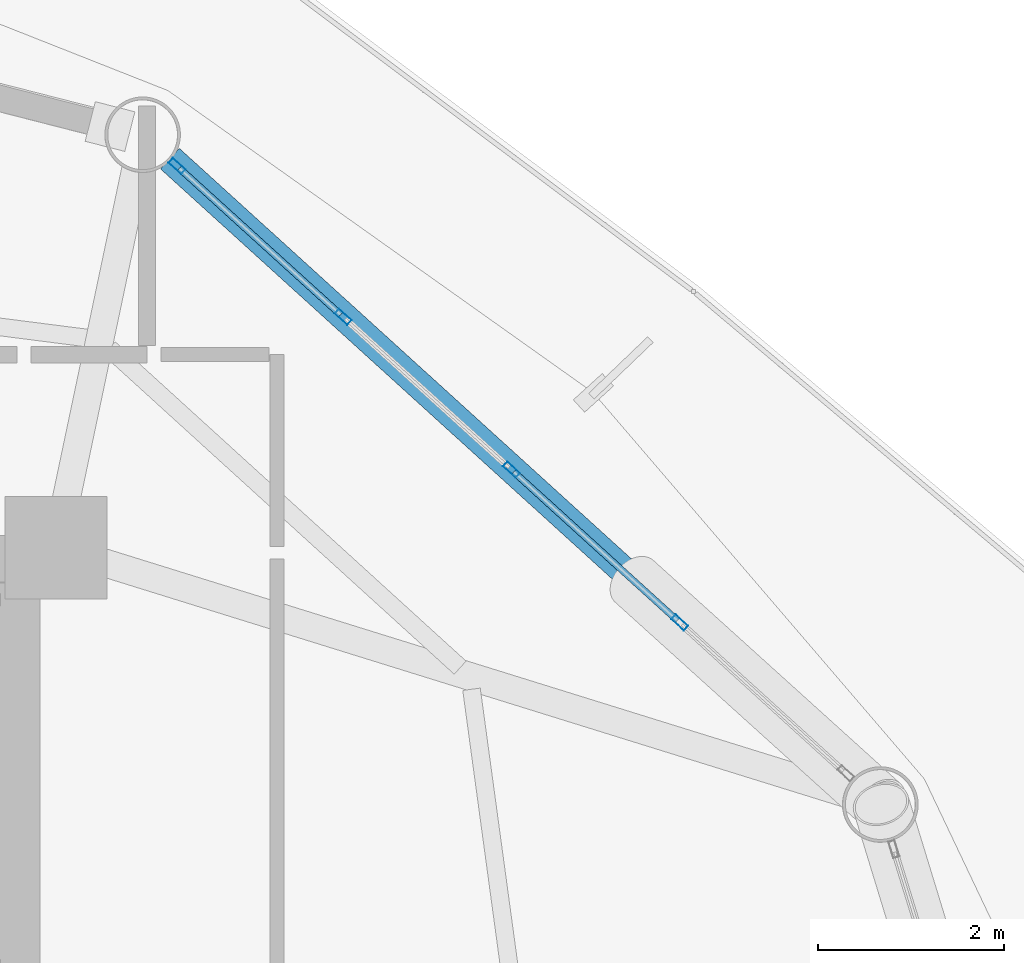
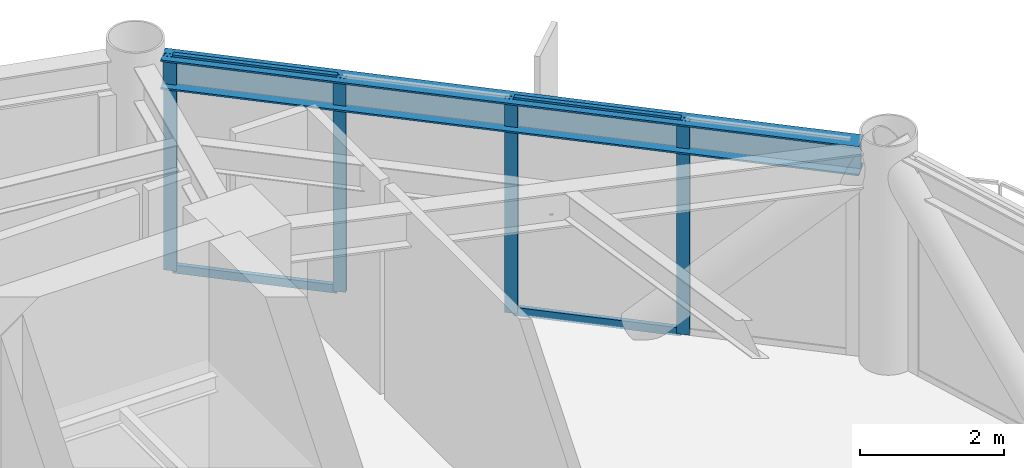
# One storey, part 17 of 23: 8 members, 1 beam, 1 element without a shape of its own.
"""IFC4 building model written with IfcOpenShell, lengths in metres."""

import ifcopenshell
import ifcopenshell.guid

model = None  # the IFC model being written
_history = None  # IfcOwnerHistory: only IFC2X3 demands one
_inside = {}  # id of a spatial element -> (the spatial element, [elements in it])
_under = {}  # id of a project, library or spatial element -> (it, [spatial elements below it])
_declared = {}  # id of a project -> (the project, [libraries it declares])
_typed = {}  # id of a type object -> (the type object, [elements of that type])
_made_of = {}  # id of a material, layer set ... -> (it, [elements and type objects made of it])


def new_model(schema):
    """Start an empty IFC model of exactly this schema.

    Asked for "IFC4X3", IfcOpenShell would pick the latest addendum, in which some entities
    have other attributes; the version numbers below select the first issue.
    IFC2X3 requires an IfcOwnerHistory on every rooted entity: one is made here for all.
    """
    global model, _history
    if schema == "IFC4X3":
        model = ifcopenshell.file(schema_version=(4, 3, 0, 0))
    else:
        model = ifcopenshell.file(schema=schema)
    _inside.clear()
    _under.clear()
    _declared.clear()
    _typed.clear()
    _made_of.clear()
    _history = None
    if model.schema == "IFC2X3":
        org = make("IfcOrganization", Name="unknown")
        user = make(
            "IfcPersonAndOrganization",
            ThePerson=make("IfcPerson", FamilyName="unknown"),
            TheOrganization=org,
        )
        app = make(
            "IfcApplication",
            ApplicationDeveloper=org,
            Version="unknown",
            ApplicationFullName="unknown",
            ApplicationIdentifier="unknown",
        )
        _history = make(
            "IfcOwnerHistory",
            OwningUser=user,
            OwningApplication=app,
            ChangeAction="ADDED",
            CreationDate=0,
        )
    return model


def make(cls, **values):
    """One entity of the class cls with the attributes given. An attribute that is None is left unset."""
    return model.create_entity(
        cls, **{name: value for name, value in values.items() if value is not None}
    )


def rooted(cls, **values):
    """An entity with a GlobalId (a new one), such as an element, a storey or a relation."""
    return make(cls, GlobalId=ifcopenshell.guid.new(), OwnerHistory=_history, **values)


def si_unit(unit_type, name, prefix=None):
    """IfcSIUnit, for example si_unit("LENGTHUNIT", "METRE", prefix="MILLI")."""
    return make("IfcSIUnit", UnitType=unit_type, Prefix=prefix, Name=name)


def assignment(units):
    """IfcUnitAssignment: the units of a project."""
    return None if units is None else make("IfcUnitAssignment", Units=units)


def point(xyz):
    """IfcCartesianPoint."""
    return None if xyz is None else make("IfcCartesianPoint", Coordinates=xyz)


def direction(xyz):
    """IfcDirection."""
    return None if xyz is None else make("IfcDirection", DirectionRatios=xyz)


def frame(location, z_axis=None, x_axis=None):
    """IfcAxis2Placement3D, a coordinate frame: its origin and axes. An axis left out is left unset."""
    return make(
        "IfcAxis2Placement3D",
        Location=point(location),
        Axis=direction(z_axis),
        RefDirection=direction(x_axis),
    )


def frame_2d(location, x_axis=None):
    """IfcAxis2Placement2D, a coordinate frame in the plane: its origin and x axis."""
    return make(
        "IfcAxis2Placement2D", Location=point(location), RefDirection=direction(x_axis)
    )


def origin():
    """The frame at (0, 0, 0) with its axes left unset."""
    return frame((0.0, 0.0, 0.0))


def origin_2d():
    """The frame at (0, 0) in the plane with its x axis left unset."""
    return frame_2d((0.0, 0.0))


def place(relative_to, where):
    """IfcLocalPlacement: puts the frame where relative to a parent placement (None: the world)."""
    return make(
        "IfcLocalPlacement", PlacementRelTo=relative_to, RelativePlacement=where
    )


def context(
    kind, dimensions, precision=None, world=None, true_north=None, identifier=None
):
    """IfcGeometricRepresentationContext, for example the 3D "Model" context."""
    return make(
        "IfcGeometricRepresentationContext",
        ContextIdentifier=identifier,
        ContextType=kind,
        CoordinateSpaceDimension=dimensions,
        Precision=precision,
        WorldCoordinateSystem=world,
        TrueNorth=true_north,
    )


def subcontext(parent, identifier, kind, view, scale=None):
    """IfcGeometricRepresentationSubContext, for example "Body" below "Model"."""
    return make(
        "IfcGeometricRepresentationSubContext",
        ContextIdentifier=identifier,
        ContextType=kind,
        ParentContext=parent,
        TargetScale=scale,
        TargetView=view,
    )


def project(units=None, contexts=None):
    """IfcProject with its units and contexts."""
    return rooted(
        "IfcProject",
        Name="project",
        RepresentationContexts=contexts,
        UnitsInContext=assignment(units),
    )


def spatial(cls, under=None, at=None, **own):
    """A site, building, storey or space (cls), placed at a placement, below another one or the project."""
    s = rooted(cls, ObjectPlacement=at, **own)
    if under is not None:
        _under.setdefault(under.id(), (under, []))[1].append(s)
    return s


def profile(cls, at=None, kind="AREA", **sizes):
    """A parametric profile (cls). Its sizes go by their IFC names, for example OverallWidth=200.0."""
    return make(cls, ProfileType=kind, Position=at, **sizes)


def hollow_rectangle(**sizes):
    """IfcRectangleHollowProfileDef."""
    return profile("IfcRectangleHollowProfileDef", **sizes)


def i_section(**sizes):
    """IfcIShapeProfileDef."""
    return profile("IfcIShapeProfileDef", **sizes)


def extrude(swept, where, along, depth):
    """IfcExtrudedAreaSolid: the profile swept, set in the frame where, extruded along a direction by depth."""
    return make(
        "IfcExtrudedAreaSolid",
        SweptArea=swept,
        Position=where,
        ExtrudedDirection=direction(along),
        Depth=depth,
    )


def shape(context_of_items, identifier, shape_type, items):
    """IfcShapeRepresentation: the items that make up one representation, for example the "Body"."""
    return make(
        "IfcShapeRepresentation",
        ContextOfItems=context_of_items,
        RepresentationIdentifier=identifier,
        RepresentationType=shape_type,
        Items=items,
    )


def material(Name=None, Category=None):
    """IfcMaterial."""
    return make("IfcMaterial", Name=Name, Category=Category)


def layer(
    of_material, thickness, ventilated=None, Name=None, Category=None, Priority=None
):
    """IfcMaterialLayer: one layer of a wall or slab, of a material (None: an air gap)."""
    return make(
        "IfcMaterialLayer",
        Material=of_material,
        LayerThickness=thickness,
        IsVentilated=ventilated,
        Name=Name,
        Category=Category,
        Priority=Priority,
    )


def layer_set(layers, Name=None):
    """IfcMaterialLayerSet."""
    return make("IfcMaterialLayerSet", MaterialLayers=layers, LayerSetName=Name)


def material_profile(
    of_material, cross_section, Name=None, Category=None, Priority=None
):
    """IfcMaterialProfile: a cross section and its material."""
    return make(
        "IfcMaterialProfile",
        Name=Name,
        Material=of_material,
        Profile=cross_section,
        Priority=Priority,
        Category=Category,
    )


def profile_set(profiles, Name=None, composite=None):
    """IfcMaterialProfileSet."""
    return make(
        "IfcMaterialProfileSet",
        Name=Name,
        MaterialProfiles=profiles,
        CompositeProfile=composite,
    )


def made_of(thing, what):
    """Note that an element or type object is made of a material, layer set ...; save() writes the relation."""
    if what is not None:
        _made_of.setdefault(what.id(), (what, []))[1].append(thing)
    return thing


def type_object(cls, material=None, **own):
    """A type object (cls), such as IfcWallType, which elements share."""
    return made_of(rooted(cls, **own), material)


def element(
    cls,
    number,
    at=None,
    inside=None,
    cuts=None,
    type_object=None,
    material=None,
    context=None,
    identifier="Body",
    shape_type=None,
    held_by="IfcProductDefinitionShape",
    body=None,
    shapes=None,
    **own,
):
    """One element of the class cls, such as IfcWall. Its Tag is "e" and its number.

    at: its placement. inside: the storey or other place that contains it. cuts: it is an
    opening in that element (IfcRelVoidsElement). A single representation is given by context,
    identifier, shape_type and body (its items); several are given by shapes. held_by: the class
    of the entity that holds the representations. save() writes the other relations.
    """
    e = rooted(cls, Tag="e%d" % number, ObjectPlacement=at, **own)
    if body is not None:
        shapes = [shape(context, identifier, shape_type, body)]
    if shapes is not None:
        e.Representation = make(held_by, Representations=shapes)
    if inside is not None:
        _inside.setdefault(inside.id(), (inside, []))[1].append(e)
    if cuts is not None:
        rooted(
            "IfcRelVoidsElement", RelatingBuildingElement=cuts, RelatedOpeningElement=e
        )
    if type_object is not None:
        _typed.setdefault(type_object.id(), (type_object, []))[1].append(e)
    return made_of(e, material)


def aggregate(whole, parts):
    """IfcRelAggregates: a whole, such as a stair, and the parts it consists of."""
    return rooted("IfcRelAggregates", RelatingObject=whole, RelatedObjects=parts)


def save(model, path):
    """Write the relations noted so far, then the file.

    IfcRelAggregates (storeys below a building ...), IfcRelContainedInSpatialStructure (elements
    in a storey), IfcRelDefinesByType, IfcRelAssociatesMaterial and IfcRelDeclares: one each for
    every whole, place, type object, material and project.
    """
    for whole, parts in _under.values():
        aggregate(whole, parts)
    for where, things in _inside.values():
        rooted(
            "IfcRelContainedInSpatialStructure",
            RelatedElements=things,
            RelatingStructure=where,
        )
    for kind, things in _typed.values():
        rooted("IfcRelDefinesByType", RelatedObjects=things, RelatingType=kind)
    for what, things in _made_of.values():
        rooted("IfcRelAssociatesMaterial", RelatedObjects=things, RelatingMaterial=what)
    for by, libraries in _declared.values():
        rooted("IfcRelDeclares", RelatingContext=by, RelatedDefinitions=libraries)
    model.write(path)


model = new_model("IFC4")

# Units and contexts
model_context = context("Model", 3, precision=1e-05, world=origin(), true_north=direction((0.0, 1.0)))
body_context = subcontext(model_context, "Body", "Model", "MODEL_VIEW")
ifc_project = project(units=[si_unit("LENGTHUNIT", "METRE"), si_unit("AREAUNIT", "SQUARE_METRE"), si_unit("VOLUMEUNIT", "CUBIC_METRE"), si_unit("PLANEANGLEUNIT", "RADIAN"), si_unit("MASSUNIT", "GRAM", prefix="KILO")], contexts=[model_context])

# Site, building, storey
site_placement = place(None, origin())
site = spatial("IfcSite", under=ifc_project, at=site_placement, CompositionType="ELEMENT")
building_placement = place(site_placement, origin())
building = spatial("IfcBuilding", under=site, at=building_placement, Name="Varnakorn Sky Granary", CompositionType="ELEMENT")
storey_placement = place(building_placement, frame((0.0, 0.0, 83.699951171875)))
storey = spatial("IfcBuildingStorey", under=building, at=storey_placement, Name="L20", CompositionType="ELEMENT", Elevation=83.699951171875)

# Beam
ifc_material_1 = material(Name="Steel S355JR", Category="steel")
ifc_material_profile_1 = material_profile(ifc_material_1, i_section(OverallWidth=0.300048828125, OverallDepth=0.5, WebThickness=0.014404296875, FlangeThickness=0.028076171875, at=origin_2d()), Name="HE 500 B")
ifc_profile_set_1 = profile_set([ifc_material_profile_1], Name="Steel S355JR")
beam_type = type_object("IfcBeamType", Name="BM-SPD-Z2", PredefinedType="SPANDREL", material=ifc_profile_set_1)
beam_placement = place(storey_placement, frame((17.015869140625, 10.12060546875, 3.39013671875), z_axis=(-0.740370602022, 0.67219890781, 0.0), x_axis=(-0.67219890781, -0.740370602022, 0.0)))
element("IfcBeam", 1, at=beam_placement, inside=storey, type_object=beam_type, Name="Perimeter Spandrel Ring Beam RB02 L20", PredefinedType="SPANDREL", context=body_context, shape_type="SweptSolid", body=[
    extrude(i_section(OverallWidth=0.300048828125, OverallDepth=0.5, WebThickness=0.014404296875, FlangeThickness=0.028076171875, at=origin_2d()), origin(), (0.0, 0.0, 1.0), 9.952392578125),
])

# Curtain wall, members
ifc_material_2 = material(Name="Anodised Bronze Aluminium Alloy 6063-T6", Category="aluminium")
ifc_layer = layer(ifc_material_2, 0.18994140625, Name="Anodised Bronze Aluminium Alloy 6063-T6")
ifc_layer_set = layer_set([ifc_layer], Name="Anodised Bronze Aluminium Alloy 6063-T6")
curtain_wall_type = type_object("IfcCurtainWallType", Name="CW-FRM-1", PredefinedType="USERDEFINED", material=ifc_layer_set)
curtain_wall_placement = place(storey_placement, origin())
curtain_wall = element("IfcCurtainWall", 2, at=curtain_wall_placement, inside=storey, type_object=curtain_wall_type, Name="Unitised Curtain Wall CW3 CW-L20-B02", ObjectType="CURTAIN WALL", PredefinedType="USERDEFINED")
ifc_material_profile_2 = material_profile(ifc_material_2, hollow_rectangle(XDim=0.070068359375, YDim=0.18505859375, WallThickness=0.00390625, at=origin_2d()), Name="ALU MULL 70x185")
ifc_profile_set_2 = profile_set([ifc_material_profile_2], Name="Anodised Bronze Aluminium Alloy 6063-T6")
member_type_1 = type_object("IfcMemberType", Name="CW-FRM-1-MULL", PredefinedType="MULLION", material=ifc_profile_set_2)
member_1_placement = place(storey_placement, frame((9.723876953125, 16.729736328125, 0.0), z_axis=(0.0, 0.0, 1.0), x_axis=(0.672210876204, 0.740359735476, 0.0)))
member_1 = element("IfcMember", 3, at=member_1_placement, type_object=member_type_1, Name="CW3 mullion 1", PredefinedType="MULLION", context=body_context, shape_type="SweptSolid", body=[
    extrude(hollow_rectangle(XDim=0.070068359375, YDim=0.18505859375, WallThickness=0.00390625, at=origin_2d()), origin(), (0.0, 0.0, 1.0), 3.64013671875),
])
member_2_placement = place(storey_placement, frame((11.51123046875, 15.106689453125, 0.0), z_axis=(0.0, 0.0, 1.0), x_axis=(0.672210876204, 0.740359735476, 0.0)))
member_2 = element("IfcMember", 4, at=member_2_placement, type_object=member_type_1, Name="CW3 mullion 2", PredefinedType="MULLION", context=body_context, shape_type="SweptSolid", body=[
    extrude(hollow_rectangle(XDim=0.070068359375, YDim=0.18505859375, WallThickness=0.00390625, at=origin_2d()), origin(), (0.0, 0.0, 1.0), 3.64013671875),
])
member_3_placement = place(storey_placement, frame((13.32470703125, 13.460205078125, 0.0), z_axis=(0.0, 0.0, 1.0), x_axis=(0.672210876204, 0.740359735476, 0.0)))
member_3 = element("IfcMember", 5, at=member_3_placement, type_object=member_type_1, Name="CW3 mullion 3", PredefinedType="MULLION", context=body_context, shape_type="SweptSolid", body=[
    extrude(hollow_rectangle(XDim=0.070068359375, YDim=0.18505859375, WallThickness=0.00390625, at=origin_2d()), origin(), (0.0, 0.0, 1.0), 3.64013671875),
])
member_4_placement = place(storey_placement, frame((15.13818359375, 11.813720703125, 0.0), z_axis=(0.0, 0.0, 1.0), x_axis=(0.672210876204, 0.740359735476, 0.0)))
member_4 = element("IfcMember", 6, at=member_4_placement, type_object=member_type_1, Name="CW3 mullion 4", PredefinedType="MULLION", context=body_context, shape_type="SweptSolid", body=[
    extrude(hollow_rectangle(XDim=0.070068359375, YDim=0.18505859375, WallThickness=0.00390625, at=origin_2d()), origin(), (0.0, 0.0, 1.0), 3.64013671875),
])
ifc_material_profile_3 = material_profile(ifc_material_2, hollow_rectangle(XDim=0.070068359375, YDim=0.139892578125, WallThickness=0.00341796875, at=origin_2d()), Name="ALU TRAN 70x140")
ifc_profile_set_3 = profile_set([ifc_material_profile_3], Name="Anodised Bronze Aluminium Alloy 6063-T6")
member_type_2 = type_object("IfcMemberType", Name="CW-FRM-1-TRAN", PredefinedType="USERDEFINED", material=ifc_profile_set_3)
member_5_placement = place(storey_placement, frame((9.749755859375, 16.7060546875, 0.03515625), z_axis=(0.740340485672, -0.672232076946, 0.0), x_axis=(0.672232076946, 0.740340485672, 0.0)))
member_5 = element("IfcMember", 7, at=member_5_placement, type_object=member_type_2, Name="CW3 transom 1.1", ObjectType="TRANSOM", PredefinedType="USERDEFINED", context=body_context, shape_type="SweptSolid", body=[
    extrude(hollow_rectangle(XDim=0.070068359375, YDim=0.139892578125, WallThickness=0.00341796875, at=origin_2d()), origin(), (0.0, 0.0, 1.0), 2.34423828125),
])
member_6_placement = place(storey_placement, frame((9.749755859375, 16.7060546875, 3.60498046875), z_axis=(0.740340485672, -0.672232076946, 0.0), x_axis=(0.672232076946, 0.740340485672, 0.0)))
member_6 = element("IfcMember", 8, at=member_6_placement, type_object=member_type_2, Name="CW3 transom 1.2", ObjectType="TRANSOM", PredefinedType="USERDEFINED", context=body_context, shape_type="SweptSolid", body=[
    extrude(hollow_rectangle(XDim=0.070068359375, YDim=0.139892578125, WallThickness=0.00341796875, at=origin_2d()), origin(), (0.0, 0.0, 1.0), 2.34423828125),
])
member_7_placement = place(storey_placement, frame((13.350830078125, 13.4365234375, 0.03515625), z_axis=(0.740353171856, -0.672218105174, 0.0), x_axis=(0.672218105174, 0.740353171856, 0.0)))
member_7 = element("IfcMember", 9, at=member_7_placement, type_object=member_type_2, Name="CW3 transom 3.1", ObjectType="TRANSOM", PredefinedType="USERDEFINED", context=body_context, shape_type="SweptSolid", body=[
    extrude(hollow_rectangle(XDim=0.070068359375, YDim=0.139892578125, WallThickness=0.00341796875, at=origin_2d()), origin(), (0.0, 0.0, 1.0), 2.379150390625),
])
member_8_placement = place(storey_placement, frame((13.350830078125, 13.4365234375, 3.60498046875), z_axis=(0.740353171856, -0.672218105174, 0.0), x_axis=(0.672218105174, 0.740353171856, 0.0)))
member_8 = element("IfcMember", 10, at=member_8_placement, type_object=member_type_2, Name="CW3 transom 3.2", ObjectType="TRANSOM", PredefinedType="USERDEFINED", context=body_context, shape_type="SweptSolid", body=[
    extrude(hollow_rectangle(XDim=0.070068359375, YDim=0.139892578125, WallThickness=0.00341796875, at=origin_2d()), origin(), (0.0, 0.0, 1.0), 2.379150390625),
])
aggregate(curtain_wall, [member_1, member_2, member_3, member_4, member_5, member_6, member_7, member_8])

save(model, "model.ifc")
